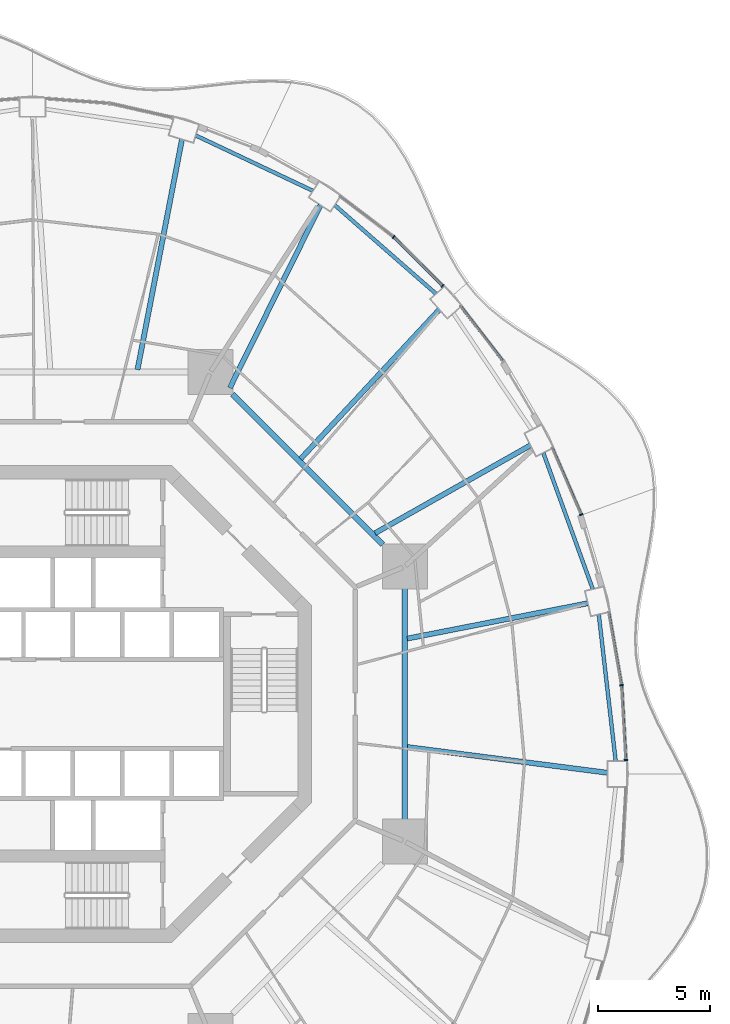
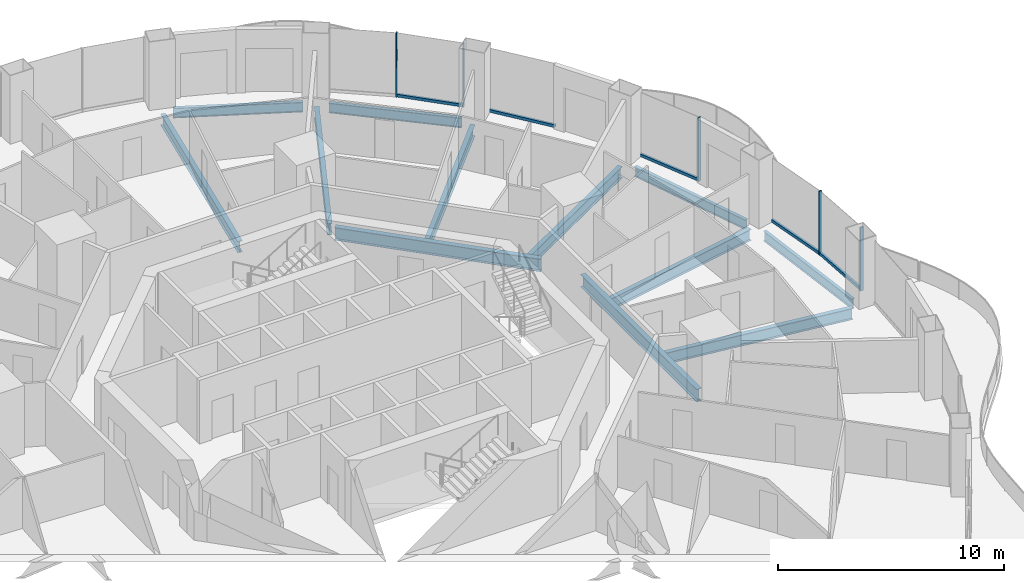
# One storey, part 8 of 20: 12 beams, 10 members, 6 elements without a shape of their own.
"""IFC4 building model written with IfcOpenShell, lengths in metres."""

from ifc_helpers import new_model, si_unit, direction, frame, origin, origin_2d, place, context, subcontext, project, spatial, rectangle, i_section, extrude, material, layer, layer_set, material_profile, profile_set, type_object, element, aggregate, save


model = new_model("IFC4")

# Units and contexts
model_context = context("Model", 3, precision=1e-05, world=origin(), true_north=direction((0.0, 1.0)))
body_context = subcontext(model_context, "Body", "Model", "MODEL_VIEW")
ifc_project = project(units=[si_unit("LENGTHUNIT", "METRE"), si_unit("AREAUNIT", "SQUARE_METRE"), si_unit("VOLUMEUNIT", "CUBIC_METRE"), si_unit("PLANEANGLEUNIT", "RADIAN"), si_unit("MASSUNIT", "GRAM", prefix="KILO")], contexts=[model_context])

# Site, building, storey
site_placement = place(None, origin())
site = spatial("IfcSite", under=ifc_project, at=site_placement, CompositionType="ELEMENT")
building_placement = place(site_placement, origin())
building = spatial("IfcBuilding", under=site, at=building_placement, Name="Nagisa Residences", CompositionType="ELEMENT")
storey_placement = place(building_placement, frame((0.0, 0.0, 152.89990234375)))
storey = spatial("IfcBuildingStorey", under=building, at=storey_placement, Name="L38", CompositionType="ELEMENT", Elevation=152.89990234375)

# Curtain wall, member
ifc_material_1 = material(Name="Concrete-coloured aluminium curtain wall system", Category="concrete")
ifc_layer = layer(ifc_material_1, 0.159912109375)
ifc_layer_set = layer_set([ifc_layer], Name="CW1 CURTAIN WALL")
curtain_wall_type = type_object("IfcCurtainWallType", Name="CW1 CURTAIN WALL", PredefinedType="NOTDEFINED", material=ifc_layer_set)
curtain_wall_1_placement = place(storey_placement, origin())
curtain_wall_1 = element("IfcCurtainWall", 1, at=curtain_wall_1_placement, inside=storey, type_object=curtain_wall_type, Name="cw:CW1:L38:00", PredefinedType="NOTDEFINED")
ifc_material_2 = material(Name="Concrete-coloured aluminium", Category="concrete")
ifc_material_profile_1 = material_profile(ifc_material_2, rectangle(XDim=0.159912109375, YDim=0.06005859375, at=origin_2d()), Name="CW1 MULLION 160x60")
ifc_profile_set_1 = profile_set([ifc_material_profile_1], Name="Concrete-coloured aluminium")
member_type_1 = type_object("IfcMemberType", Name="CW1 MULLION 160x60", PredefinedType="MULLION", material=ifc_profile_set_1)
member_1_placement = place(storey_placement, frame((24.618896484375, -2.493408203125, 0.0), z_axis=(0.0, 0.0, 1.0), x_axis=(-0.998345305184, -0.057503492216, 0.0)))
member_1 = element("IfcMember", 2, at=member_1_placement, type_object=member_type_1, Name="CW1 mullion", PredefinedType="MULLION", context=body_context, shape_type="SweptSolid", body=[
    extrude(rectangle(XDim=0.159912109375, YDim=0.06005859375, at=origin_2d()), origin(), (0.0, 0.0, 1.0), 3.440185546875),
])

curtain_wall_2_placement = place(storey_placement, origin())
curtain_wall_2 = element("IfcCurtainWall", 3, at=curtain_wall_2_placement, inside=storey, type_object=curtain_wall_type, Name="cw:CW1:L38:01", PredefinedType="NOTDEFINED")
member_2_placement = place(storey_placement, frame((24.424072265625, 0.83935546875, 0.0), z_axis=(0.0, 0.0, 1.0), x_axis=(-0.985063604377, -0.172190868898, 0.0)))
member_2 = element("IfcMember", 4, at=member_2_placement, type_object=member_type_1, Name="CW1 mullion", PredefinedType="MULLION", context=body_context, shape_type="SweptSolid", body=[
    extrude(rectangle(XDim=0.159912109375, YDim=0.06005859375, at=origin_2d()), origin(), (0.0, 0.0, 1.0), 3.440185546875),
])

curtain_wall_3_placement = place(storey_placement, origin())
curtain_wall_3 = element("IfcCurtainWall", 5, at=curtain_wall_3_placement, inside=storey, type_object=curtain_wall_type, Name="cw:CW1:L38:03", PredefinedType="NOTDEFINED")
member_3_placement = place(storey_placement, frame((22.6298828125, 8.43310546875, 0.0), z_axis=(0.0, 0.0, 1.0), x_axis=(-0.917543276295, -0.397635934147, 0.0)))
member_3 = element("IfcMember", 6, at=member_3_placement, type_object=member_type_1, Name="CW1 mullion", PredefinedType="MULLION", context=body_context, shape_type="SweptSolid", body=[
    extrude(rectangle(XDim=0.159912109375, YDim=0.06005859375, at=origin_2d()), origin(), (0.0, 0.0, 1.0), 3.440185546875),
])

curtain_wall_4_placement = place(storey_placement, origin())
curtain_wall_4 = element("IfcCurtainWall", 7, at=curtain_wall_4_placement, inside=storey, type_object=curtain_wall_type, Name="cw:CW1:L38:06", PredefinedType="NOTDEFINED")
member_4_placement = place(storey_placement, frame((16.460693359375, 18.621826171875, 0.0), z_axis=(0.0, 0.0, 1.0), x_axis=(-0.706376885714, -0.707835924016, 0.0)))
member_4 = element("IfcMember", 8, at=member_4_placement, type_object=member_type_1, Name="CW1 mullion", PredefinedType="MULLION", context=body_context, shape_type="SweptSolid", body=[
    extrude(rectangle(XDim=0.159912109375, YDim=0.06005859375, at=origin_2d()), origin(), (0.0, 0.0, 1.0), 3.440185546875),
])

curtain_wall_5_placement = place(storey_placement, origin())
curtain_wall_5 = element("IfcCurtainWall", 9, at=curtain_wall_5_placement, inside=storey, type_object=curtain_wall_type, Name="cw:CW1:L38:07", PredefinedType="NOTDEFINED")
member_5_placement = place(storey_placement, frame((14.28125, 20.7919921875, 0.0), z_axis=(0.0, 0.0, 1.0), x_axis=(-0.605255421737, -0.79603132756, 0.0)))
member_5 = element("IfcMember", 10, at=member_5_placement, type_object=member_type_1, Name="CW1 mullion", PredefinedType="MULLION", context=body_context, shape_type="SweptSolid", body=[
    extrude(rectangle(XDim=0.159912109375, YDim=0.06005859375, at=origin_2d()), origin(), (0.0, 0.0, 1.0), 3.440185546875),
])
aggregate(curtain_wall_5, [member_5])

# Member
ifc_material_3 = material(Name="Concrete-coloured aluminium", Category="concrete")
ifc_material_profile_2 = material_profile(ifc_material_3, rectangle(XDim=0.1201171875, YDim=0.14990234375, at=origin_2d()), Name="CW1 TRANSOM 120x150")
ifc_profile_set_2 = profile_set([ifc_material_profile_2], Name="Concrete-coloured aluminium")
member_type_2 = type_object("IfcMemberType", Name="CW1 TRANSOM 120x150", PredefinedType="USERDEFINED", material=ifc_profile_set_2)
member_6_placement = place(storey_placement, frame((24.62060546875, -2.523193359375, 0.0751953125), z_axis=(-0.057469329432, 0.998347272333, 0.0), x_axis=(-0.998347272333, -0.057469329432, 0.0)))
member_6 = element("IfcMember", 11, at=member_6_placement, type_object=member_type_2, Name="CW1 transom", ObjectType="TRANSOM", PredefinedType="USERDEFINED", context=body_context, shape_type="SweptSolid", body=[
    extrude(rectangle(XDim=0.1201171875, YDim=0.14990234375, at=origin_2d()), origin(), (0.0, 0.0, 1.0), 3.34765625),
])

aggregate(curtain_wall_1, [member_1, member_6])

member_7_placement = place(storey_placement, frame((24.42919921875, 0.809814453125, 0.0751953125), z_axis=(-0.172163521006, 0.985068384446, 0.0), x_axis=(-0.985068384446, -0.172163521006, 0.0)))
member_7 = element("IfcMember", 12, at=member_7_placement, type_object=member_type_2, Name="CW1 transom", ObjectType="TRANSOM", PredefinedType="USERDEFINED", context=body_context, shape_type="SweptSolid", body=[
    extrude(rectangle(XDim=0.1201171875, YDim=0.14990234375, at=origin_2d()), origin(), (0.0, 0.0, 1.0), 3.33251953125),
])

aggregate(curtain_wall_2, [member_2, member_7])

member_8_placement = place(storey_placement, frame((22.641845703125, 8.405517578125, 0.0751953125), z_axis=(-0.397638954585, 0.917541967321, 0.0), x_axis=(-0.917541967321, -0.397638954585, 0.0)))
member_8 = element("IfcMember", 13, at=member_8_placement, type_object=member_type_2, Name="CW1 transom", ObjectType="TRANSOM", PredefinedType="USERDEFINED", context=body_context, shape_type="SweptSolid", body=[
    extrude(rectangle(XDim=0.1201171875, YDim=0.14990234375, at=origin_2d()), origin(), (0.0, 0.0, 1.0), 3.2607421875),
])

aggregate(curtain_wall_3, [member_3, member_8])

# Curtain wall, member
curtain_wall_6_placement = place(storey_placement, origin())
curtain_wall_6 = element("IfcCurtainWall", 14, at=curtain_wall_6_placement, inside=storey, type_object=curtain_wall_type, Name="cw:CW1:L38:05", PredefinedType="NOTDEFINED")
member_9_placement = place(storey_placement, frame((19.188232421875, 15.215087890625, 0.0751953125), z_axis=(-0.610467332273, 0.792041435928, 0.0), x_axis=(-0.792041435928, -0.610467332273, 0.0)))
member_9 = element("IfcMember", 15, at=member_9_placement, type_object=member_type_2, Name="CW1 transom", ObjectType="TRANSOM", PredefinedType="USERDEFINED", context=body_context, shape_type="SweptSolid", body=[
    extrude(rectangle(XDim=0.1201171875, YDim=0.14990234375, at=origin_2d()), origin(), (0.0, 0.0, 1.0), 3.14892578125),
])
aggregate(curtain_wall_6, [member_9])

# Member
member_10_placement = place(storey_placement, frame((16.48193359375, 18.6005859375, 0.0751953125), z_axis=(-0.707857739375, 0.706355024621, 0.0), x_axis=(-0.706355024621, -0.707857739375, 0.0)))
member_10 = element("IfcMember", 16, at=member_10_placement, type_object=member_type_2, Name="CW1 transom", ObjectType="TRANSOM", PredefinedType="USERDEFINED", context=body_context, shape_type="SweptSolid", body=[
    extrude(rectangle(XDim=0.1201171875, YDim=0.14990234375, at=origin_2d()), origin(), (0.0, 0.0, 1.0), 3.0869140625),
])

aggregate(curtain_wall_4, [member_4, member_10])

# Beams
ifc_material_4 = material(Name="Steel ASTM A572 Gr 50", Category="steel")
ifc_material_profile_3 = material_profile(ifc_material_4, i_section(OverallWidth=0.25390625, OverallDepth=0.68408203125, WebThickness=0.012451171875, FlangeThickness=0.018798828125, at=origin_2d()), Name="W690x140")
ifc_profile_set_3 = profile_set([ifc_material_profile_3], Name="Steel ASTM A572 Gr 50")
beam_type_1 = type_object("IfcBeamType", Name="Inner ring beam W690x140", PredefinedType="BEAM", material=ifc_profile_set_3)
beam_1_placement = place(storey_placement, frame((13.796142578125, 7.10888671875, -0.601806640625), z_axis=(-0.707106781187, 0.707106781187, 0.0), x_axis=(-0.707106781187, -0.707106781187, 0.0)))
element("IfcBeam", 17, at=beam_1_placement, inside=storey, type_object=beam_type_1, Name="beam:L38:ib1", PredefinedType="BEAM", context=body_context, shape_type="SweptSolid", body=[
    extrude(i_section(OverallWidth=0.25390625, OverallDepth=0.68408203125, WebThickness=0.012451171875, FlangeThickness=0.018798828125, at=origin_2d()), origin(), (0.0, 0.0, 1.0), 9.457275390625),
])
beam_2_placement = place(storey_placement, frame((14.781982421875, -5.142822265625, -0.601806640625), z_axis=(0.0, 1.0, 0.0), x_axis=(-1.0, 0.0, 0.0)))
element("IfcBeam", 18, at=beam_2_placement, inside=storey, type_object=beam_type_1, Name="beam:L38:ib8", PredefinedType="BEAM", context=body_context, shape_type="SweptSolid", body=[
    extrude(i_section(OverallWidth=0.25390625, OverallDepth=0.68408203125, WebThickness=0.012451171875, FlangeThickness=0.018798828125, at=origin_2d()), origin(), (0.0, 0.0, 1.0), 10.28564453125),
])
ifc_material_5 = material(Name="Steel ASTM A572 Gr 50", Category="steel")
ifc_material_profile_4 = material_profile(ifc_material_5, i_section(OverallWidth=0.166015625, OverallDepth=0.534912109375, WebThickness=0.01025390625, FlangeThickness=0.0166015625, at=origin_2d()), Name="W530x85")
ifc_profile_set_4 = profile_set([ifc_material_profile_4], Name="Steel ASTM A572 Gr 50")
beam_type_2 = type_object("IfcBeamType", Name="Perimeter ring beam W530x85", PredefinedType="BEAM", material=ifc_profile_set_4)
beam_3_placement = place(storey_placement, frame((24.16796875, -2.53759765625, -0.52734375), z_axis=(-0.114660786771, 0.993404703017, 0.0), x_axis=(-0.993404703017, -0.114660786771, 0.0)))
element("IfcBeam", 19, at=beam_3_placement, inside=storey, type_object=beam_type_2, Name="beam:L38:pb01", PredefinedType="BEAM", context=body_context, shape_type="SweptSolid", body=[
    extrude(i_section(OverallWidth=0.166015625, OverallDepth=0.534912109375, WebThickness=0.01025390625, FlangeThickness=0.0166015625, at=origin_2d()), origin(), (0.0, 0.0, 1.0), 6.568603515625),
])
beam_4_placement = place(storey_placement, frame((23.1484375, 5.116943359375, -0.52734375), z_axis=(-0.341332802315, 0.93994250785, 0.0), x_axis=(-0.93994250785, -0.341332802315, 0.0)))
element("IfcBeam", 20, at=beam_4_placement, inside=storey, type_object=beam_type_2, Name="beam:L38:pb02", PredefinedType="BEAM", context=body_context, shape_type="SweptSolid", body=[
    extrude(i_section(OverallWidth=0.166015625, OverallDepth=0.534912109375, WebThickness=0.01025390625, FlangeThickness=0.0166015625, at=origin_2d()), origin(), (0.0, 0.0, 1.0), 6.450927734375),
])
beam_5_placement = place(storey_placement, frame((16.169189453125, 18.26513671875, -0.52734375), z_axis=(-0.752503526528, 0.658588219272, 0.0), x_axis=(-0.658588219272, -0.752503526528, 0.0)))
element("IfcBeam", 21, at=beam_5_placement, inside=storey, type_object=beam_type_2, Name="beam:L38:pb04", PredefinedType="BEAM", context=body_context, shape_type="SweptSolid", body=[
    extrude(i_section(OverallWidth=0.166015625, OverallDepth=0.534912109375, WebThickness=0.01025390625, FlangeThickness=0.0166015625, at=origin_2d()), origin(), (0.0, 0.0, 1.0), 5.99462890625),
])
beam_6_placement = place(storey_placement, frame((10.687744140625, 22.84912109375, -0.52734375), z_axis=(-0.904169699539, 0.427173447719, 0.0), x_axis=(-0.427173447719, -0.904169699539, 0.0)))
element("IfcBeam", 22, at=beam_6_placement, inside=storey, type_object=beam_type_2, Name="beam:L38:pb05", PredefinedType="BEAM", context=body_context, shape_type="SweptSolid", body=[
    extrude(i_section(OverallWidth=0.166015625, OverallDepth=0.534912109375, WebThickness=0.01025390625, FlangeThickness=0.0166015625, at=origin_2d()), origin(), (0.0, 0.0, 1.0), 5.7724609375),
])
ifc_material_6 = material(Name="Steel ASTM A572 Gr 50", Category="steel")
ifc_material_profile_5 = material_profile(ifc_material_6, i_section(OverallWidth=0.22900390625, OverallDepth=0.612060546875, WebThickness=0.011962890625, FlangeThickness=0.01953125, at=origin_2d()), Name="W610x125")
ifc_profile_set_5 = profile_set([ifc_material_profile_5], Name="Steel ASTM A572 Gr 50")
beam_type_3 = type_object("IfcBeamType", Name="Radial beam W610x125", PredefinedType="BEAM", material=ifc_profile_set_5)
beam_7_placement = place(storey_placement, frame((23.804931640625, -3.062255859375, -0.56591796875), z_axis=(-0.991829934558, 0.127567162371, 0.0), x_axis=(-0.127567162371, -0.991829934558, 0.0)))
element("IfcBeam", 23, at=beam_7_placement, inside=storey, type_object=beam_type_3, Name="beam:L38:rb01", PredefinedType="BEAM", context=body_context, shape_type="SweptSolid", body=[
    extrude(i_section(OverallWidth=0.22900390625, OverallDepth=0.612060546875, WebThickness=0.011962890625, FlangeThickness=0.01953125, at=origin_2d()), origin(), (0.0, 0.0, 1.0), 8.9892578125),
])
beam_8_placement = place(storey_placement, frame((22.925537109375, 4.4853515625, -0.56591796875), z_axis=(-0.981393143406, -0.192009109355, 0.0), x_axis=(0.192009109355, -0.981393143406, 0.0)))
element("IfcBeam", 24, at=beam_8_placement, inside=storey, type_object=beam_type_3, Name="beam:L38:rb02", PredefinedType="BEAM", context=body_context, shape_type="SweptSolid", body=[
    extrude(i_section(OverallWidth=0.22900390625, OverallDepth=0.612060546875, WebThickness=0.011962890625, FlangeThickness=0.01953125, at=origin_2d()), origin(), (0.0, 0.0, 1.0), 8.1884765625),
])
beam_9_placement = place(storey_placement, frame((20.372314453125, 11.51806640625, -0.56591796875), z_axis=(-0.870505636565, -0.492158446751, 0.0), x_axis=(0.492158446751, -0.870505636565, 0.0)))
element("IfcBeam", 25, at=beam_9_placement, inside=storey, type_object=beam_type_3, Name="beam:L38:rb03", PredefinedType="BEAM", context=body_context, shape_type="SweptSolid", body=[
    extrude(i_section(OverallWidth=0.22900390625, OverallDepth=0.612060546875, WebThickness=0.011962890625, FlangeThickness=0.01953125, at=origin_2d()), origin(), (0.0, 0.0, 1.0), 7.949951171875),
])
beam_10_placement = place(storey_placement, frame((16.315185546875, 17.56298828125, -0.56591796875), z_axis=(-0.680605908425, -0.7326497099, 0.0), x_axis=(0.7326497099, -0.680605908425, 0.0)))
element("IfcBeam", 26, at=beam_10_placement, inside=storey, type_object=beam_type_3, Name="beam:L38:rb04", PredefinedType="BEAM", context=body_context, shape_type="SweptSolid", body=[
    extrude(i_section(OverallWidth=0.22900390625, OverallDepth=0.612060546875, WebThickness=0.011962890625, FlangeThickness=0.01953125, at=origin_2d()), origin(), (0.0, 0.0, 1.0), 9.072509765625),
])
beam_11_placement = place(storey_placement, frame((11.02490234375, 22.2109375, -0.56591796875), z_axis=(-0.444599872799, -0.895729285614, 0.0), x_axis=(0.895729285614, -0.444599872799, 0.0)))
element("IfcBeam", 27, at=beam_11_placement, inside=storey, type_object=beam_type_3, Name="beam:L38:rb05", PredefinedType="BEAM", context=body_context, shape_type="SweptSolid", body=[
    extrude(i_section(OverallWidth=0.22900390625, OverallDepth=0.612060546875, WebThickness=0.011962890625, FlangeThickness=0.01953125, at=origin_2d()), origin(), (0.0, 0.0, 1.0), 9.085693359375),
])
beam_12_placement = place(storey_placement, frame((4.8564453125, 25.140869140625, -0.56591796875), z_axis=(-0.189659094365, -0.981850002762, 0.0), x_axis=(0.981850002762, -0.189659094365, 0.0)))
element("IfcBeam", 28, at=beam_12_placement, inside=storey, type_object=beam_type_3, Name="beam:L38:rb06", PredefinedType="BEAM", context=body_context, shape_type="SweptSolid", body=[
    extrude(i_section(OverallWidth=0.22900390625, OverallDepth=0.612060546875, WebThickness=0.011962890625, FlangeThickness=0.01953125, at=origin_2d()), origin(), (0.0, 0.0, 1.0), 10.44091796875),
])

save(model, "model.ifc")
